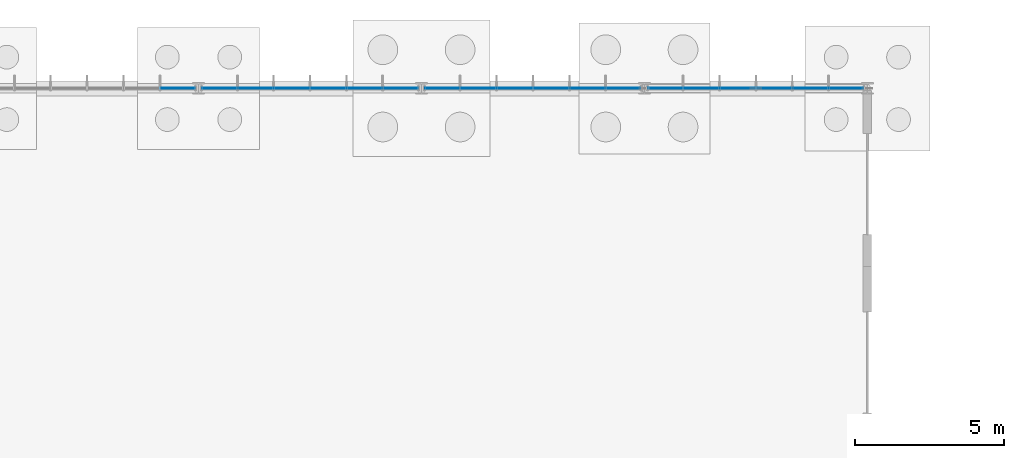
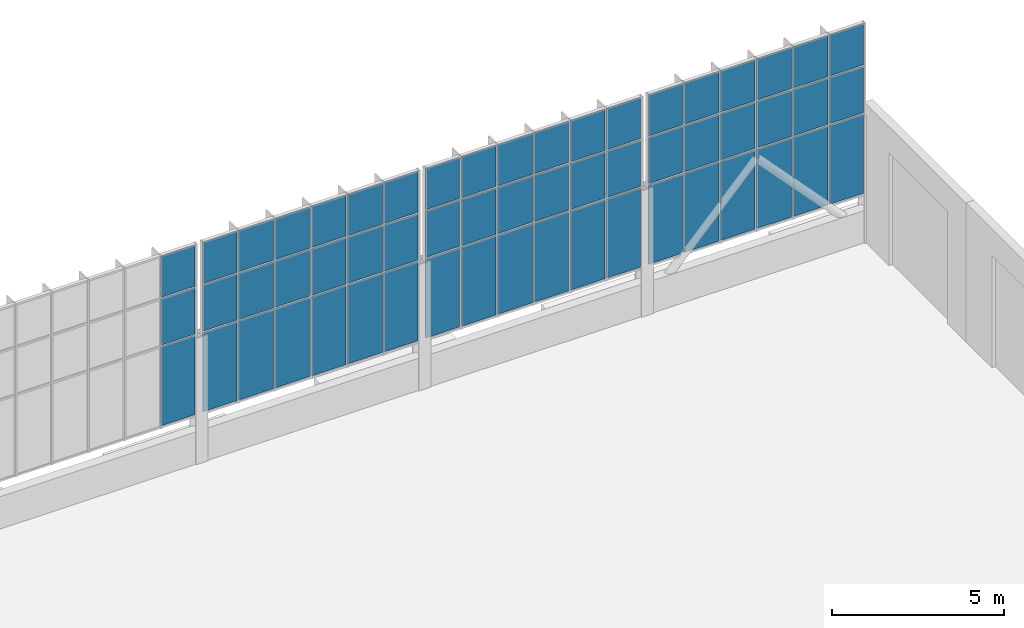
# One storey, part 98 of 136: 57 plates, 4 elements without a shape of their own.
"""IFC4 building model written with IfcOpenShell, lengths in metres."""

import ifcopenshell
import ifcopenshell.guid

model = None  # the IFC model being written
_history = None  # IfcOwnerHistory: only IFC2X3 demands one
_inside = {}  # id of a spatial element -> (the spatial element, [elements in it])
_under = {}  # id of a project, library or spatial element -> (it, [spatial elements below it])
_declared = {}  # id of a project -> (the project, [libraries it declares])
_typed = {}  # id of a type object -> (the type object, [elements of that type])
_made_of = {}  # id of a material, layer set ... -> (it, [elements and type objects made of it])


def new_model(schema):
    """Start an empty IFC model of exactly this schema.

    Asked for "IFC4X3", IfcOpenShell would pick the latest addendum, in which some entities
    have other attributes; the version numbers below select the first issue.
    IFC2X3 requires an IfcOwnerHistory on every rooted entity: one is made here for all.
    """
    global model, _history
    if schema == "IFC4X3":
        model = ifcopenshell.file(schema_version=(4, 3, 0, 0))
    else:
        model = ifcopenshell.file(schema=schema)
    _inside.clear()
    _under.clear()
    _declared.clear()
    _typed.clear()
    _made_of.clear()
    _history = None
    if model.schema == "IFC2X3":
        org = make("IfcOrganization", Name="unknown")
        user = make(
            "IfcPersonAndOrganization",
            ThePerson=make("IfcPerson", FamilyName="unknown"),
            TheOrganization=org,
        )
        app = make(
            "IfcApplication",
            ApplicationDeveloper=org,
            Version="unknown",
            ApplicationFullName="unknown",
            ApplicationIdentifier="unknown",
        )
        _history = make(
            "IfcOwnerHistory",
            OwningUser=user,
            OwningApplication=app,
            ChangeAction="ADDED",
            CreationDate=0,
        )
    return model


def make(cls, **values):
    """One entity of the class cls with the attributes given. An attribute that is None is left unset."""
    return model.create_entity(
        cls, **{name: value for name, value in values.items() if value is not None}
    )


def rooted(cls, **values):
    """An entity with a GlobalId (a new one), such as an element, a storey or a relation."""
    return make(cls, GlobalId=ifcopenshell.guid.new(), OwnerHistory=_history, **values)


def si_unit(unit_type, name, prefix=None):
    """IfcSIUnit, for example si_unit("LENGTHUNIT", "METRE", prefix="MILLI")."""
    return make("IfcSIUnit", UnitType=unit_type, Prefix=prefix, Name=name)


def assignment(units):
    """IfcUnitAssignment: the units of a project."""
    return None if units is None else make("IfcUnitAssignment", Units=units)


def point(xyz):
    """IfcCartesianPoint."""
    return None if xyz is None else make("IfcCartesianPoint", Coordinates=xyz)


def direction(xyz):
    """IfcDirection."""
    return None if xyz is None else make("IfcDirection", DirectionRatios=xyz)


def frame(location, z_axis=None, x_axis=None):
    """IfcAxis2Placement3D, a coordinate frame: its origin and axes. An axis left out is left unset."""
    return make(
        "IfcAxis2Placement3D",
        Location=point(location),
        Axis=direction(z_axis),
        RefDirection=direction(x_axis),
    )


def frame_2d(location, x_axis=None):
    """IfcAxis2Placement2D, a coordinate frame in the plane: its origin and x axis."""
    return make(
        "IfcAxis2Placement2D", Location=point(location), RefDirection=direction(x_axis)
    )


def origin():
    """The frame at (0, 0, 0) with its axes left unset."""
    return frame((0.0, 0.0, 0.0))


def origin_2d():
    """The frame at (0, 0) in the plane with its x axis left unset."""
    return frame_2d((0.0, 0.0))


def place(relative_to, where):
    """IfcLocalPlacement: puts the frame where relative to a parent placement (None: the world)."""
    return make(
        "IfcLocalPlacement", PlacementRelTo=relative_to, RelativePlacement=where
    )


def context(
    kind, dimensions, precision=None, world=None, true_north=None, identifier=None
):
    """IfcGeometricRepresentationContext, for example the 3D "Model" context."""
    return make(
        "IfcGeometricRepresentationContext",
        ContextIdentifier=identifier,
        ContextType=kind,
        CoordinateSpaceDimension=dimensions,
        Precision=precision,
        WorldCoordinateSystem=world,
        TrueNorth=true_north,
    )


def subcontext(parent, identifier, kind, view, scale=None):
    """IfcGeometricRepresentationSubContext, for example "Body" below "Model"."""
    return make(
        "IfcGeometricRepresentationSubContext",
        ContextIdentifier=identifier,
        ContextType=kind,
        ParentContext=parent,
        TargetScale=scale,
        TargetView=view,
    )


def project(units=None, contexts=None):
    """IfcProject with its units and contexts."""
    return rooted(
        "IfcProject",
        Name="project",
        RepresentationContexts=contexts,
        UnitsInContext=assignment(units),
    )


def spatial(cls, under=None, at=None, **own):
    """A site, building, storey or space (cls), placed at a placement, below another one or the project."""
    s = rooted(cls, ObjectPlacement=at, **own)
    if under is not None:
        _under.setdefault(under.id(), (under, []))[1].append(s)
    return s


def profile(cls, at=None, kind="AREA", **sizes):
    """A parametric profile (cls). Its sizes go by their IFC names, for example OverallWidth=200.0."""
    return make(cls, ProfileType=kind, Position=at, **sizes)


def rectangle(**sizes):
    """IfcRectangleProfileDef."""
    return profile("IfcRectangleProfileDef", **sizes)


def extrude(swept, where, along, depth):
    """IfcExtrudedAreaSolid: the profile swept, set in the frame where, extruded along a direction by depth."""
    return make(
        "IfcExtrudedAreaSolid",
        SweptArea=swept,
        Position=where,
        ExtrudedDirection=direction(along),
        Depth=depth,
    )


def shape(context_of_items, identifier, shape_type, items):
    """IfcShapeRepresentation: the items that make up one representation, for example the "Body"."""
    return make(
        "IfcShapeRepresentation",
        ContextOfItems=context_of_items,
        RepresentationIdentifier=identifier,
        RepresentationType=shape_type,
        Items=items,
    )


def material(Name=None, Category=None):
    """IfcMaterial."""
    return make("IfcMaterial", Name=Name, Category=Category)


def layer(
    of_material, thickness, ventilated=None, Name=None, Category=None, Priority=None
):
    """IfcMaterialLayer: one layer of a wall or slab, of a material (None: an air gap)."""
    return make(
        "IfcMaterialLayer",
        Material=of_material,
        LayerThickness=thickness,
        IsVentilated=ventilated,
        Name=Name,
        Category=Category,
        Priority=Priority,
    )


def layer_set(layers, Name=None):
    """IfcMaterialLayerSet."""
    return make("IfcMaterialLayerSet", MaterialLayers=layers, LayerSetName=Name)


def made_of(thing, what):
    """Note that an element or type object is made of a material, layer set ...; save() writes the relation."""
    if what is not None:
        _made_of.setdefault(what.id(), (what, []))[1].append(thing)
    return thing


def type_object(cls, material=None, **own):
    """A type object (cls), such as IfcWallType, which elements share."""
    return made_of(rooted(cls, **own), material)


def element(
    cls,
    number,
    at=None,
    inside=None,
    cuts=None,
    type_object=None,
    material=None,
    context=None,
    identifier="Body",
    shape_type=None,
    held_by="IfcProductDefinitionShape",
    body=None,
    shapes=None,
    **own,
):
    """One element of the class cls, such as IfcWall. Its Tag is "e" and its number.

    at: its placement. inside: the storey or other place that contains it. cuts: it is an
    opening in that element (IfcRelVoidsElement). A single representation is given by context,
    identifier, shape_type and body (its items); several are given by shapes. held_by: the class
    of the entity that holds the representations. save() writes the other relations.
    """
    e = rooted(cls, Tag="e%d" % number, ObjectPlacement=at, **own)
    if body is not None:
        shapes = [shape(context, identifier, shape_type, body)]
    if shapes is not None:
        e.Representation = make(held_by, Representations=shapes)
    if inside is not None:
        _inside.setdefault(inside.id(), (inside, []))[1].append(e)
    if cuts is not None:
        rooted(
            "IfcRelVoidsElement", RelatingBuildingElement=cuts, RelatedOpeningElement=e
        )
    if type_object is not None:
        _typed.setdefault(type_object.id(), (type_object, []))[1].append(e)
    return made_of(e, material)


def aggregate(whole, parts):
    """IfcRelAggregates: a whole, such as a stair, and the parts it consists of."""
    return rooted("IfcRelAggregates", RelatingObject=whole, RelatedObjects=parts)


def save(model, path):
    """Write the relations noted so far, then the file.

    IfcRelAggregates (storeys below a building ...), IfcRelContainedInSpatialStructure (elements
    in a storey), IfcRelDefinesByType, IfcRelAssociatesMaterial and IfcRelDeclares: one each for
    every whole, place, type object, material and project.
    """
    for whole, parts in _under.values():
        aggregate(whole, parts)
    for where, things in _inside.values():
        rooted(
            "IfcRelContainedInSpatialStructure",
            RelatedElements=things,
            RelatingStructure=where,
        )
    for kind, things in _typed.values():
        rooted("IfcRelDefinesByType", RelatedObjects=things, RelatingType=kind)
    for what, things in _made_of.values():
        rooted("IfcRelAssociatesMaterial", RelatedObjects=things, RelatingMaterial=what)
    for by, libraries in _declared.values():
        rooted("IfcRelDeclares", RelatingContext=by, RelatedDefinitions=libraries)
    model.write(path)


model = new_model("IFC4")

# Units and contexts
model_context = context("Model", 3, precision=1e-05, world=origin(), true_north=direction((0.0, 1.0)))
body_context = subcontext(model_context, "Body", "Model", "MODEL_VIEW")
ifc_project = project(units=[si_unit("LENGTHUNIT", "METRE"), si_unit("AREAUNIT", "SQUARE_METRE"), si_unit("VOLUMEUNIT", "CUBIC_METRE"), si_unit("PLANEANGLEUNIT", "RADIAN"), si_unit("MASSUNIT", "GRAM", prefix="KILO")], contexts=[model_context])

# Site, building, storey
site_placement = place(None, origin())
site = spatial("IfcSite", under=ifc_project, at=site_placement, CompositionType="ELEMENT")
building_placement = place(site_placement, origin())
building = spatial("IfcBuilding", under=site, at=building_placement, Name="Solvenia Promenade Tram Depot", CompositionType="ELEMENT")
storey_placement = place(building_placement, origin())
storey = spatial("IfcBuildingStorey", under=building, at=storey_placement, Name="L00", CompositionType="ELEMENT", Elevation=0.0)

# Curtain wall, plates
ifc_material_1 = material(Name="Anodized aluminium AW-6063 T6", Category="aluminium")
ifc_layer_1 = layer(ifc_material_1, 0.159912109375, Name="Anodized aluminium AW-6063 T6", Category="aluminium")
ifc_layer_set_1 = layer_set([ifc_layer_1], Name="Anodized aluminium AW-6063 T6")
curtain_wall_type = type_object("IfcCurtainWallType", Name="CW-Channel-1200", PredefinedType="NOTDEFINED", material=ifc_layer_set_1)
curtain_wall_1_placement = place(storey_placement, origin())
curtain_wall_1 = element("IfcCurtainWall", 1, at=curtain_wall_1_placement, inside=storey, type_object=curtain_wall_type, Name="North Translucent Channel-Glass Wall 17", PredefinedType="NOTDEFINED")
ifc_material_2 = material(Name="Low-iron translucent U-profile channel glass", Category="glass")
ifc_layer_2 = layer(ifc_material_2, 0.028076171875, Name="Low-iron translucent U-profile channel glass", Category="glass")
ifc_layer_set_2 = layer_set([ifc_layer_2], Name="Low-iron translucent U-profile channel glass")
plate_type = type_object("IfcPlateType", Name="CWP-Panel-1", PredefinedType="CURTAIN_PANEL", material=ifc_layer_set_2)
plate_1_placement = place(storey_placement, frame((126.79541015625, 126.0, 1.659912109375), z_axis=(0.0, 0.0, 1.0), x_axis=(1.0, 0.0, 0.0)))
plate_1 = element("IfcPlate", 2, at=plate_1_placement, type_object=plate_type, Name="CW-1 panel 6.1", PredefinedType="CURTAIN_PANEL", context=body_context, shape_type="SweptSolid", body=[
    extrude(rectangle(XDim=1.145263671875, YDim=0.028076171875, at=origin_2d()), origin(), (0.0, 0.0, 1.0), 2.81005859375),
])
plate_2_placement = place(storey_placement, frame((126.79541015625, 126.0, 4.5302734375), z_axis=(0.0, 0.0, 1.0), x_axis=(1.0, 0.0, 0.0)))
plate_2 = element("IfcPlate", 3, at=plate_2_placement, type_object=plate_type, Name="CW-1 panel 6.2", PredefinedType="CURTAIN_PANEL", context=body_context, shape_type="SweptSolid", body=[
    extrude(rectangle(XDim=1.145263671875, YDim=0.028076171875, at=origin_2d()), origin(), (0.0, 0.0, 1.0), 1.639892578125),
])
plate_3_placement = place(storey_placement, frame((126.79541015625, 126.0, 6.22998046875), z_axis=(0.0, 0.0, 1.0), x_axis=(1.0, 0.0, 0.0)))
plate_3 = element("IfcPlate", 4, at=plate_3_placement, type_object=plate_type, Name="CW-1 panel 6.3", PredefinedType="CURTAIN_PANEL", context=body_context, shape_type="SweptSolid", body=[
    extrude(rectangle(XDim=1.145263671875, YDim=0.028076171875, at=origin_2d()), origin(), (0.0, 0.0, 1.0), 1.4599609375),
])
aggregate(curtain_wall_1, [plate_1, plate_2, plate_3])

curtain_wall_2_placement = place(storey_placement, origin())
curtain_wall_2 = element("IfcCurtainWall", 5, at=curtain_wall_2_placement, inside=storey, type_object=curtain_wall_type, Name="North Translucent Channel-Glass Wall 18", PredefinedType="NOTDEFINED")
plate_4_placement = place(storey_placement, frame((128.20458984375, 126.0, 1.659912109375), z_axis=(0.0, 0.0, 1.0), x_axis=(1.0, 0.0, 0.0)))
plate_4 = element("IfcPlate", 6, at=plate_4_placement, type_object=plate_type, Name="CW-1 panel 1.1", PredefinedType="CURTAIN_PANEL", context=body_context, shape_type="SweptSolid", body=[
    extrude(rectangle(XDim=1.145263671875, YDim=0.028076171875, at=origin_2d()), origin(), (0.0, 0.0, 1.0), 2.81005859375),
])
plate_5_placement = place(storey_placement, frame((128.20458984375, 126.0, 4.5302734375), z_axis=(0.0, 0.0, 1.0), x_axis=(1.0, 0.0, 0.0)))
plate_5 = element("IfcPlate", 7, at=plate_5_placement, type_object=plate_type, Name="CW-1 panel 1.2", PredefinedType="CURTAIN_PANEL", context=body_context, shape_type="SweptSolid", body=[
    extrude(rectangle(XDim=1.145263671875, YDim=0.028076171875, at=origin_2d()), origin(), (0.0, 0.0, 1.0), 1.639892578125),
])
plate_6_placement = place(storey_placement, frame((128.20458984375, 126.0, 6.22998046875), z_axis=(0.0, 0.0, 1.0), x_axis=(1.0, 0.0, 0.0)))
plate_6 = element("IfcPlate", 8, at=plate_6_placement, type_object=plate_type, Name="CW-1 panel 1.3", PredefinedType="CURTAIN_PANEL", context=body_context, shape_type="SweptSolid", body=[
    extrude(rectangle(XDim=1.145263671875, YDim=0.028076171875, at=origin_2d()), origin(), (0.0, 0.0, 1.0), 1.4599609375),
])
plate_7_placement = place(storey_placement, frame((129.4150390625, 126.0, 1.659912109375), z_axis=(0.0, 0.0, 1.0), x_axis=(1.0, 0.0, 0.0)))
plate_7 = element("IfcPlate", 9, at=plate_7_placement, type_object=plate_type, Name="CW-1 panel 2.1", PredefinedType="CURTAIN_PANEL", context=body_context, shape_type="SweptSolid", body=[
    extrude(rectangle(XDim=1.17138671875, YDim=0.028076171875, at=origin_2d()), origin(), (0.0, 0.0, 1.0), 2.81005859375),
])
plate_8_placement = place(storey_placement, frame((129.4150390625, 126.0, 4.5302734375), z_axis=(0.0, 0.0, 1.0), x_axis=(1.0, 0.0, 0.0)))
plate_8 = element("IfcPlate", 10, at=plate_8_placement, type_object=plate_type, Name="CW-1 panel 2.2", PredefinedType="CURTAIN_PANEL", context=body_context, shape_type="SweptSolid", body=[
    extrude(rectangle(XDim=1.17138671875, YDim=0.028076171875, at=origin_2d()), origin(), (0.0, 0.0, 1.0), 1.639892578125),
])
plate_9_placement = place(storey_placement, frame((129.4150390625, 126.0, 6.22998046875), z_axis=(0.0, 0.0, 1.0), x_axis=(1.0, 0.0, 0.0)))
plate_9 = element("IfcPlate", 11, at=plate_9_placement, type_object=plate_type, Name="CW-1 panel 2.3", PredefinedType="CURTAIN_PANEL", context=body_context, shape_type="SweptSolid", body=[
    extrude(rectangle(XDim=1.17138671875, YDim=0.028076171875, at=origin_2d()), origin(), (0.0, 0.0, 1.0), 1.4599609375),
])
plate_10_placement = place(storey_placement, frame((130.638427734375, 126.0, 1.659912109375), z_axis=(0.0, 0.0, 1.0), x_axis=(1.0, 0.0, 0.0)))
plate_10 = element("IfcPlate", 12, at=plate_10_placement, type_object=plate_type, Name="CW-1 panel 3.1", PredefinedType="CURTAIN_PANEL", context=body_context, shape_type="SweptSolid", body=[
    extrude(rectangle(XDim=1.17138671875, YDim=0.028076171875, at=origin_2d()), origin(), (0.0, 0.0, 1.0), 2.81005859375),
])
plate_11_placement = place(storey_placement, frame((130.638427734375, 126.0, 4.5302734375), z_axis=(0.0, 0.0, 1.0), x_axis=(1.0, 0.0, 0.0)))
plate_11 = element("IfcPlate", 13, at=plate_11_placement, type_object=plate_type, Name="CW-1 panel 3.2", PredefinedType="CURTAIN_PANEL", context=body_context, shape_type="SweptSolid", body=[
    extrude(rectangle(XDim=1.17138671875, YDim=0.028076171875, at=origin_2d()), origin(), (0.0, 0.0, 1.0), 1.639892578125),
])
plate_12_placement = place(storey_placement, frame((130.638427734375, 126.0, 6.22998046875), z_axis=(0.0, 0.0, 1.0), x_axis=(1.0, 0.0, 0.0)))
plate_12 = element("IfcPlate", 14, at=plate_12_placement, type_object=plate_type, Name="CW-1 panel 3.3", PredefinedType="CURTAIN_PANEL", context=body_context, shape_type="SweptSolid", body=[
    extrude(rectangle(XDim=1.17138671875, YDim=0.028076171875, at=origin_2d()), origin(), (0.0, 0.0, 1.0), 1.4599609375),
])
plate_13_placement = place(storey_placement, frame((131.861572265625, 126.0, 1.659912109375), z_axis=(0.0, 0.0, 1.0), x_axis=(1.0, 0.0, 0.0)))
plate_13 = element("IfcPlate", 15, at=plate_13_placement, type_object=plate_type, Name="CW-1 panel 4.1", PredefinedType="CURTAIN_PANEL", context=body_context, shape_type="SweptSolid", body=[
    extrude(rectangle(XDim=1.17138671875, YDim=0.028076171875, at=origin_2d()), origin(), (0.0, 0.0, 1.0), 2.81005859375),
])
plate_14_placement = place(storey_placement, frame((131.861572265625, 126.0, 4.5302734375), z_axis=(0.0, 0.0, 1.0), x_axis=(1.0, 0.0, 0.0)))
plate_14 = element("IfcPlate", 16, at=plate_14_placement, type_object=plate_type, Name="CW-1 panel 4.2", PredefinedType="CURTAIN_PANEL", context=body_context, shape_type="SweptSolid", body=[
    extrude(rectangle(XDim=1.17138671875, YDim=0.028076171875, at=origin_2d()), origin(), (0.0, 0.0, 1.0), 1.639892578125),
])
plate_15_placement = place(storey_placement, frame((131.861572265625, 126.0, 6.22998046875), z_axis=(0.0, 0.0, 1.0), x_axis=(1.0, 0.0, 0.0)))
plate_15 = element("IfcPlate", 17, at=plate_15_placement, type_object=plate_type, Name="CW-1 panel 4.3", PredefinedType="CURTAIN_PANEL", context=body_context, shape_type="SweptSolid", body=[
    extrude(rectangle(XDim=1.17138671875, YDim=0.028076171875, at=origin_2d()), origin(), (0.0, 0.0, 1.0), 1.4599609375),
])
plate_16_placement = place(storey_placement, frame((133.0849609375, 126.0, 1.659912109375), z_axis=(0.0, 0.0, 1.0), x_axis=(1.0, 0.0, 0.0)))
plate_16 = element("IfcPlate", 18, at=plate_16_placement, type_object=plate_type, Name="CW-1 panel 5.1", PredefinedType="CURTAIN_PANEL", context=body_context, shape_type="SweptSolid", body=[
    extrude(rectangle(XDim=1.17138671875, YDim=0.028076171875, at=origin_2d()), origin(), (0.0, 0.0, 1.0), 2.81005859375),
])
plate_17_placement = place(storey_placement, frame((133.0849609375, 126.0, 4.5302734375), z_axis=(0.0, 0.0, 1.0), x_axis=(1.0, 0.0, 0.0)))
plate_17 = element("IfcPlate", 19, at=plate_17_placement, type_object=plate_type, Name="CW-1 panel 5.2", PredefinedType="CURTAIN_PANEL", context=body_context, shape_type="SweptSolid", body=[
    extrude(rectangle(XDim=1.17138671875, YDim=0.028076171875, at=origin_2d()), origin(), (0.0, 0.0, 1.0), 1.639892578125),
])
plate_18_placement = place(storey_placement, frame((133.0849609375, 126.0, 6.22998046875), z_axis=(0.0, 0.0, 1.0), x_axis=(1.0, 0.0, 0.0)))
plate_18 = element("IfcPlate", 20, at=plate_18_placement, type_object=plate_type, Name="CW-1 panel 5.3", PredefinedType="CURTAIN_PANEL", context=body_context, shape_type="SweptSolid", body=[
    extrude(rectangle(XDim=1.17138671875, YDim=0.028076171875, at=origin_2d()), origin(), (0.0, 0.0, 1.0), 1.4599609375),
])
plate_19_placement = place(storey_placement, frame((134.29541015625, 126.0, 1.659912109375), z_axis=(0.0, 0.0, 1.0), x_axis=(1.0, 0.0, 0.0)))
plate_19 = element("IfcPlate", 21, at=plate_19_placement, type_object=plate_type, Name="CW-1 panel 6.1", PredefinedType="CURTAIN_PANEL", context=body_context, shape_type="SweptSolid", body=[
    extrude(rectangle(XDim=1.145263671875, YDim=0.028076171875, at=origin_2d()), origin(), (0.0, 0.0, 1.0), 2.81005859375),
])
plate_20_placement = place(storey_placement, frame((134.29541015625, 126.0, 4.5302734375), z_axis=(0.0, 0.0, 1.0), x_axis=(1.0, 0.0, 0.0)))
plate_20 = element("IfcPlate", 22, at=plate_20_placement, type_object=plate_type, Name="CW-1 panel 6.2", PredefinedType="CURTAIN_PANEL", context=body_context, shape_type="SweptSolid", body=[
    extrude(rectangle(XDim=1.145263671875, YDim=0.028076171875, at=origin_2d()), origin(), (0.0, 0.0, 1.0), 1.639892578125),
])
plate_21_placement = place(storey_placement, frame((134.29541015625, 126.0, 6.22998046875), z_axis=(0.0, 0.0, 1.0), x_axis=(1.0, 0.0, 0.0)))
plate_21 = element("IfcPlate", 23, at=plate_21_placement, type_object=plate_type, Name="CW-1 panel 6.3", PredefinedType="CURTAIN_PANEL", context=body_context, shape_type="SweptSolid", body=[
    extrude(rectangle(XDim=1.145263671875, YDim=0.028076171875, at=origin_2d()), origin(), (0.0, 0.0, 1.0), 1.4599609375),
])
aggregate(curtain_wall_2, [plate_4, plate_5, plate_6, plate_7, plate_8, plate_9, plate_10, plate_11, plate_12, plate_13, plate_14, plate_15, plate_16, plate_17, plate_18, plate_19, plate_20, plate_21])

curtain_wall_3_placement = place(storey_placement, origin())
curtain_wall_3 = element("IfcCurtainWall", 24, at=curtain_wall_3_placement, inside=storey, type_object=curtain_wall_type, Name="North Translucent Channel-Glass Wall 19", PredefinedType="NOTDEFINED")
plate_22_placement = place(storey_placement, frame((135.70458984375, 126.0, 1.659912109375), z_axis=(0.0, 0.0, 1.0), x_axis=(1.0, 0.0, 0.0)))
plate_22 = element("IfcPlate", 25, at=plate_22_placement, type_object=plate_type, Name="CW-1 panel 1.1", PredefinedType="CURTAIN_PANEL", context=body_context, shape_type="SweptSolid", body=[
    extrude(rectangle(XDim=1.145263671875, YDim=0.028076171875, at=origin_2d()), origin(), (0.0, 0.0, 1.0), 2.81005859375),
])
plate_23_placement = place(storey_placement, frame((135.70458984375, 126.0, 4.5302734375), z_axis=(0.0, 0.0, 1.0), x_axis=(1.0, 0.0, 0.0)))
plate_23 = element("IfcPlate", 26, at=plate_23_placement, type_object=plate_type, Name="CW-1 panel 1.2", PredefinedType="CURTAIN_PANEL", context=body_context, shape_type="SweptSolid", body=[
    extrude(rectangle(XDim=1.145263671875, YDim=0.028076171875, at=origin_2d()), origin(), (0.0, 0.0, 1.0), 1.639892578125),
])
plate_24_placement = place(storey_placement, frame((135.70458984375, 126.0, 6.22998046875), z_axis=(0.0, 0.0, 1.0), x_axis=(1.0, 0.0, 0.0)))
plate_24 = element("IfcPlate", 27, at=plate_24_placement, type_object=plate_type, Name="CW-1 panel 1.3", PredefinedType="CURTAIN_PANEL", context=body_context, shape_type="SweptSolid", body=[
    extrude(rectangle(XDim=1.145263671875, YDim=0.028076171875, at=origin_2d()), origin(), (0.0, 0.0, 1.0), 1.4599609375),
])
plate_25_placement = place(storey_placement, frame((136.9150390625, 126.0, 1.659912109375), z_axis=(0.0, 0.0, 1.0), x_axis=(1.0, 0.0, 0.0)))
plate_25 = element("IfcPlate", 28, at=plate_25_placement, type_object=plate_type, Name="CW-1 panel 2.1", PredefinedType="CURTAIN_PANEL", context=body_context, shape_type="SweptSolid", body=[
    extrude(rectangle(XDim=1.17138671875, YDim=0.028076171875, at=origin_2d()), origin(), (0.0, 0.0, 1.0), 2.81005859375),
])
plate_26_placement = place(storey_placement, frame((136.9150390625, 126.0, 4.5302734375), z_axis=(0.0, 0.0, 1.0), x_axis=(1.0, 0.0, 0.0)))
plate_26 = element("IfcPlate", 29, at=plate_26_placement, type_object=plate_type, Name="CW-1 panel 2.2", PredefinedType="CURTAIN_PANEL", context=body_context, shape_type="SweptSolid", body=[
    extrude(rectangle(XDim=1.17138671875, YDim=0.028076171875, at=origin_2d()), origin(), (0.0, 0.0, 1.0), 1.639892578125),
])
plate_27_placement = place(storey_placement, frame((136.9150390625, 126.0, 6.22998046875), z_axis=(0.0, 0.0, 1.0), x_axis=(1.0, 0.0, 0.0)))
plate_27 = element("IfcPlate", 30, at=plate_27_placement, type_object=plate_type, Name="CW-1 panel 2.3", PredefinedType="CURTAIN_PANEL", context=body_context, shape_type="SweptSolid", body=[
    extrude(rectangle(XDim=1.17138671875, YDim=0.028076171875, at=origin_2d()), origin(), (0.0, 0.0, 1.0), 1.4599609375),
])
plate_28_placement = place(storey_placement, frame((138.138427734375, 126.0, 1.659912109375), z_axis=(0.0, 0.0, 1.0), x_axis=(1.0, 0.0, 0.0)))
plate_28 = element("IfcPlate", 31, at=plate_28_placement, type_object=plate_type, Name="CW-1 panel 3.1", PredefinedType="CURTAIN_PANEL", context=body_context, shape_type="SweptSolid", body=[
    extrude(rectangle(XDim=1.17138671875, YDim=0.028076171875, at=origin_2d()), origin(), (0.0, 0.0, 1.0), 2.81005859375),
])
plate_29_placement = place(storey_placement, frame((138.138427734375, 126.0, 4.5302734375), z_axis=(0.0, 0.0, 1.0), x_axis=(1.0, 0.0, 0.0)))
plate_29 = element("IfcPlate", 32, at=plate_29_placement, type_object=plate_type, Name="CW-1 panel 3.2", PredefinedType="CURTAIN_PANEL", context=body_context, shape_type="SweptSolid", body=[
    extrude(rectangle(XDim=1.17138671875, YDim=0.028076171875, at=origin_2d()), origin(), (0.0, 0.0, 1.0), 1.639892578125),
])
plate_30_placement = place(storey_placement, frame((138.138427734375, 126.0, 6.22998046875), z_axis=(0.0, 0.0, 1.0), x_axis=(1.0, 0.0, 0.0)))
plate_30 = element("IfcPlate", 33, at=plate_30_placement, type_object=plate_type, Name="CW-1 panel 3.3", PredefinedType="CURTAIN_PANEL", context=body_context, shape_type="SweptSolid", body=[
    extrude(rectangle(XDim=1.17138671875, YDim=0.028076171875, at=origin_2d()), origin(), (0.0, 0.0, 1.0), 1.4599609375),
])
plate_31_placement = place(storey_placement, frame((139.361572265625, 126.0, 1.659912109375), z_axis=(0.0, 0.0, 1.0), x_axis=(1.0, 0.0, 0.0)))
plate_31 = element("IfcPlate", 34, at=plate_31_placement, type_object=plate_type, Name="CW-1 panel 4.1", PredefinedType="CURTAIN_PANEL", context=body_context, shape_type="SweptSolid", body=[
    extrude(rectangle(XDim=1.17138671875, YDim=0.028076171875, at=origin_2d()), origin(), (0.0, 0.0, 1.0), 2.81005859375),
])
plate_32_placement = place(storey_placement, frame((139.361572265625, 126.0, 4.5302734375), z_axis=(0.0, 0.0, 1.0), x_axis=(1.0, 0.0, 0.0)))
plate_32 = element("IfcPlate", 35, at=plate_32_placement, type_object=plate_type, Name="CW-1 panel 4.2", PredefinedType="CURTAIN_PANEL", context=body_context, shape_type="SweptSolid", body=[
    extrude(rectangle(XDim=1.17138671875, YDim=0.028076171875, at=origin_2d()), origin(), (0.0, 0.0, 1.0), 1.639892578125),
])
plate_33_placement = place(storey_placement, frame((139.361572265625, 126.0, 6.22998046875), z_axis=(0.0, 0.0, 1.0), x_axis=(1.0, 0.0, 0.0)))
plate_33 = element("IfcPlate", 36, at=plate_33_placement, type_object=plate_type, Name="CW-1 panel 4.3", PredefinedType="CURTAIN_PANEL", context=body_context, shape_type="SweptSolid", body=[
    extrude(rectangle(XDim=1.17138671875, YDim=0.028076171875, at=origin_2d()), origin(), (0.0, 0.0, 1.0), 1.4599609375),
])
plate_34_placement = place(storey_placement, frame((140.5849609375, 126.0, 1.659912109375), z_axis=(0.0, 0.0, 1.0), x_axis=(1.0, 0.0, 0.0)))
plate_34 = element("IfcPlate", 37, at=plate_34_placement, type_object=plate_type, Name="CW-1 panel 5.1", PredefinedType="CURTAIN_PANEL", context=body_context, shape_type="SweptSolid", body=[
    extrude(rectangle(XDim=1.17138671875, YDim=0.028076171875, at=origin_2d()), origin(), (0.0, 0.0, 1.0), 2.81005859375),
])
plate_35_placement = place(storey_placement, frame((140.5849609375, 126.0, 4.5302734375), z_axis=(0.0, 0.0, 1.0), x_axis=(1.0, 0.0, 0.0)))
plate_35 = element("IfcPlate", 38, at=plate_35_placement, type_object=plate_type, Name="CW-1 panel 5.2", PredefinedType="CURTAIN_PANEL", context=body_context, shape_type="SweptSolid", body=[
    extrude(rectangle(XDim=1.17138671875, YDim=0.028076171875, at=origin_2d()), origin(), (0.0, 0.0, 1.0), 1.639892578125),
])
plate_36_placement = place(storey_placement, frame((140.5849609375, 126.0, 6.22998046875), z_axis=(0.0, 0.0, 1.0), x_axis=(1.0, 0.0, 0.0)))
plate_36 = element("IfcPlate", 39, at=plate_36_placement, type_object=plate_type, Name="CW-1 panel 5.3", PredefinedType="CURTAIN_PANEL", context=body_context, shape_type="SweptSolid", body=[
    extrude(rectangle(XDim=1.17138671875, YDim=0.028076171875, at=origin_2d()), origin(), (0.0, 0.0, 1.0), 1.4599609375),
])
plate_37_placement = place(storey_placement, frame((141.79541015625, 126.0, 1.659912109375), z_axis=(0.0, 0.0, 1.0), x_axis=(1.0, 0.0, 0.0)))
plate_37 = element("IfcPlate", 40, at=plate_37_placement, type_object=plate_type, Name="CW-1 panel 6.1", PredefinedType="CURTAIN_PANEL", context=body_context, shape_type="SweptSolid", body=[
    extrude(rectangle(XDim=1.145263671875, YDim=0.028076171875, at=origin_2d()), origin(), (0.0, 0.0, 1.0), 2.81005859375),
])
plate_38_placement = place(storey_placement, frame((141.79541015625, 126.0, 4.5302734375), z_axis=(0.0, 0.0, 1.0), x_axis=(1.0, 0.0, 0.0)))
plate_38 = element("IfcPlate", 41, at=plate_38_placement, type_object=plate_type, Name="CW-1 panel 6.2", PredefinedType="CURTAIN_PANEL", context=body_context, shape_type="SweptSolid", body=[
    extrude(rectangle(XDim=1.145263671875, YDim=0.028076171875, at=origin_2d()), origin(), (0.0, 0.0, 1.0), 1.639892578125),
])
plate_39_placement = place(storey_placement, frame((141.79541015625, 126.0, 6.22998046875), z_axis=(0.0, 0.0, 1.0), x_axis=(1.0, 0.0, 0.0)))
plate_39 = element("IfcPlate", 42, at=plate_39_placement, type_object=plate_type, Name="CW-1 panel 6.3", PredefinedType="CURTAIN_PANEL", context=body_context, shape_type="SweptSolid", body=[
    extrude(rectangle(XDim=1.145263671875, YDim=0.028076171875, at=origin_2d()), origin(), (0.0, 0.0, 1.0), 1.4599609375),
])
aggregate(curtain_wall_3, [plate_22, plate_23, plate_24, plate_25, plate_26, plate_27, plate_28, plate_29, plate_30, plate_31, plate_32, plate_33, plate_34, plate_35, plate_36, plate_37, plate_38, plate_39])

curtain_wall_4_placement = place(storey_placement, origin())
curtain_wall_4 = element("IfcCurtainWall", 43, at=curtain_wall_4_placement, inside=storey, type_object=curtain_wall_type, Name="North Translucent Channel-Glass Wall 20", PredefinedType="NOTDEFINED")
plate_40_placement = place(storey_placement, frame((143.20458984375, 126.0, 1.659912109375), z_axis=(0.0, 0.0, 1.0), x_axis=(1.0, 0.0, 0.0)))
plate_40 = element("IfcPlate", 44, at=plate_40_placement, type_object=plate_type, Name="CW-1 panel 1.1", PredefinedType="CURTAIN_PANEL", context=body_context, shape_type="SweptSolid", body=[
    extrude(rectangle(XDim=1.145263671875, YDim=0.028076171875, at=origin_2d()), origin(), (0.0, 0.0, 1.0), 2.81005859375),
])
plate_41_placement = place(storey_placement, frame((143.20458984375, 126.0, 4.5302734375), z_axis=(0.0, 0.0, 1.0), x_axis=(1.0, 0.0, 0.0)))
plate_41 = element("IfcPlate", 45, at=plate_41_placement, type_object=plate_type, Name="CW-1 panel 1.2", PredefinedType="CURTAIN_PANEL", context=body_context, shape_type="SweptSolid", body=[
    extrude(rectangle(XDim=1.145263671875, YDim=0.028076171875, at=origin_2d()), origin(), (0.0, 0.0, 1.0), 1.639892578125),
])
plate_42_placement = place(storey_placement, frame((143.20458984375, 126.0, 6.22998046875), z_axis=(0.0, 0.0, 1.0), x_axis=(1.0, 0.0, 0.0)))
plate_42 = element("IfcPlate", 46, at=plate_42_placement, type_object=plate_type, Name="CW-1 panel 1.3", PredefinedType="CURTAIN_PANEL", context=body_context, shape_type="SweptSolid", body=[
    extrude(rectangle(XDim=1.145263671875, YDim=0.028076171875, at=origin_2d()), origin(), (0.0, 0.0, 1.0), 1.4599609375),
])
plate_43_placement = place(storey_placement, frame((144.4150390625, 126.0, 1.659912109375), z_axis=(0.0, 0.0, 1.0), x_axis=(1.0, 0.0, 0.0)))
plate_43 = element("IfcPlate", 47, at=plate_43_placement, type_object=plate_type, Name="CW-1 panel 2.1", PredefinedType="CURTAIN_PANEL", context=body_context, shape_type="SweptSolid", body=[
    extrude(rectangle(XDim=1.17138671875, YDim=0.028076171875, at=origin_2d()), origin(), (0.0, 0.0, 1.0), 2.81005859375),
])
plate_44_placement = place(storey_placement, frame((144.4150390625, 126.0, 4.5302734375), z_axis=(0.0, 0.0, 1.0), x_axis=(1.0, 0.0, 0.0)))
plate_44 = element("IfcPlate", 48, at=plate_44_placement, type_object=plate_type, Name="CW-1 panel 2.2", PredefinedType="CURTAIN_PANEL", context=body_context, shape_type="SweptSolid", body=[
    extrude(rectangle(XDim=1.17138671875, YDim=0.028076171875, at=origin_2d()), origin(), (0.0, 0.0, 1.0), 1.639892578125),
])
plate_45_placement = place(storey_placement, frame((144.4150390625, 126.0, 6.22998046875), z_axis=(0.0, 0.0, 1.0), x_axis=(1.0, 0.0, 0.0)))
plate_45 = element("IfcPlate", 49, at=plate_45_placement, type_object=plate_type, Name="CW-1 panel 2.3", PredefinedType="CURTAIN_PANEL", context=body_context, shape_type="SweptSolid", body=[
    extrude(rectangle(XDim=1.17138671875, YDim=0.028076171875, at=origin_2d()), origin(), (0.0, 0.0, 1.0), 1.4599609375),
])
plate_46_placement = place(storey_placement, frame((145.638427734375, 126.0, 1.659912109375), z_axis=(0.0, 0.0, 1.0), x_axis=(1.0, 0.0, 0.0)))
plate_46 = element("IfcPlate", 50, at=plate_46_placement, type_object=plate_type, Name="CW-1 panel 3.1", PredefinedType="CURTAIN_PANEL", context=body_context, shape_type="SweptSolid", body=[
    extrude(rectangle(XDim=1.17138671875, YDim=0.028076171875, at=origin_2d()), origin(), (0.0, 0.0, 1.0), 2.81005859375),
])
plate_47_placement = place(storey_placement, frame((145.638427734375, 126.0, 4.5302734375), z_axis=(0.0, 0.0, 1.0), x_axis=(1.0, 0.0, 0.0)))
plate_47 = element("IfcPlate", 51, at=plate_47_placement, type_object=plate_type, Name="CW-1 panel 3.2", PredefinedType="CURTAIN_PANEL", context=body_context, shape_type="SweptSolid", body=[
    extrude(rectangle(XDim=1.17138671875, YDim=0.028076171875, at=origin_2d()), origin(), (0.0, 0.0, 1.0), 1.639892578125),
])
plate_48_placement = place(storey_placement, frame((145.638427734375, 126.0, 6.22998046875), z_axis=(0.0, 0.0, 1.0), x_axis=(1.0, 0.0, 0.0)))
plate_48 = element("IfcPlate", 52, at=plate_48_placement, type_object=plate_type, Name="CW-1 panel 3.3", PredefinedType="CURTAIN_PANEL", context=body_context, shape_type="SweptSolid", body=[
    extrude(rectangle(XDim=1.17138671875, YDim=0.028076171875, at=origin_2d()), origin(), (0.0, 0.0, 1.0), 1.4599609375),
])
plate_49_placement = place(storey_placement, frame((146.861572265625, 126.0, 1.659912109375), z_axis=(0.0, 0.0, 1.0), x_axis=(1.0, 0.0, 0.0)))
plate_49 = element("IfcPlate", 53, at=plate_49_placement, type_object=plate_type, Name="CW-1 panel 4.1", PredefinedType="CURTAIN_PANEL", context=body_context, shape_type="SweptSolid", body=[
    extrude(rectangle(XDim=1.17138671875, YDim=0.028076171875, at=origin_2d()), origin(), (0.0, 0.0, 1.0), 2.81005859375),
])
plate_50_placement = place(storey_placement, frame((146.861572265625, 126.0, 4.5302734375), z_axis=(0.0, 0.0, 1.0), x_axis=(1.0, 0.0, 0.0)))
plate_50 = element("IfcPlate", 54, at=plate_50_placement, type_object=plate_type, Name="CW-1 panel 4.2", PredefinedType="CURTAIN_PANEL", context=body_context, shape_type="SweptSolid", body=[
    extrude(rectangle(XDim=1.17138671875, YDim=0.028076171875, at=origin_2d()), origin(), (0.0, 0.0, 1.0), 1.639892578125),
])
plate_51_placement = place(storey_placement, frame((146.861572265625, 126.0, 6.22998046875), z_axis=(0.0, 0.0, 1.0), x_axis=(1.0, 0.0, 0.0)))
plate_51 = element("IfcPlate", 55, at=plate_51_placement, type_object=plate_type, Name="CW-1 panel 4.3", PredefinedType="CURTAIN_PANEL", context=body_context, shape_type="SweptSolid", body=[
    extrude(rectangle(XDim=1.17138671875, YDim=0.028076171875, at=origin_2d()), origin(), (0.0, 0.0, 1.0), 1.4599609375),
])
plate_52_placement = place(storey_placement, frame((148.0849609375, 126.0, 1.659912109375), z_axis=(0.0, 0.0, 1.0), x_axis=(1.0, 0.0, 0.0)))
plate_52 = element("IfcPlate", 56, at=plate_52_placement, type_object=plate_type, Name="CW-1 panel 5.1", PredefinedType="CURTAIN_PANEL", context=body_context, shape_type="SweptSolid", body=[
    extrude(rectangle(XDim=1.17138671875, YDim=0.028076171875, at=origin_2d()), origin(), (0.0, 0.0, 1.0), 2.81005859375),
])
plate_53_placement = place(storey_placement, frame((148.0849609375, 126.0, 4.5302734375), z_axis=(0.0, 0.0, 1.0), x_axis=(1.0, 0.0, 0.0)))
plate_53 = element("IfcPlate", 57, at=plate_53_placement, type_object=plate_type, Name="CW-1 panel 5.2", PredefinedType="CURTAIN_PANEL", context=body_context, shape_type="SweptSolid", body=[
    extrude(rectangle(XDim=1.17138671875, YDim=0.028076171875, at=origin_2d()), origin(), (0.0, 0.0, 1.0), 1.639892578125),
])
plate_54_placement = place(storey_placement, frame((148.0849609375, 126.0, 6.22998046875), z_axis=(0.0, 0.0, 1.0), x_axis=(1.0, 0.0, 0.0)))
plate_54 = element("IfcPlate", 58, at=plate_54_placement, type_object=plate_type, Name="CW-1 panel 5.3", PredefinedType="CURTAIN_PANEL", context=body_context, shape_type="SweptSolid", body=[
    extrude(rectangle(XDim=1.17138671875, YDim=0.028076171875, at=origin_2d()), origin(), (0.0, 0.0, 1.0), 1.4599609375),
])
plate_55_placement = place(storey_placement, frame((149.29541015625, 126.0, 1.659912109375), z_axis=(0.0, 0.0, 1.0), x_axis=(1.0, 0.0, 0.0)))
plate_55 = element("IfcPlate", 59, at=plate_55_placement, type_object=plate_type, Name="CW-1 panel 6.1", PredefinedType="CURTAIN_PANEL", context=body_context, shape_type="SweptSolid", body=[
    extrude(rectangle(XDim=1.145263671875, YDim=0.028076171875, at=origin_2d()), origin(), (0.0, 0.0, 1.0), 2.81005859375),
])
plate_56_placement = place(storey_placement, frame((149.29541015625, 126.0, 4.5302734375), z_axis=(0.0, 0.0, 1.0), x_axis=(1.0, 0.0, 0.0)))
plate_56 = element("IfcPlate", 60, at=plate_56_placement, type_object=plate_type, Name="CW-1 panel 6.2", PredefinedType="CURTAIN_PANEL", context=body_context, shape_type="SweptSolid", body=[
    extrude(rectangle(XDim=1.145263671875, YDim=0.028076171875, at=origin_2d()), origin(), (0.0, 0.0, 1.0), 1.639892578125),
])
plate_57_placement = place(storey_placement, frame((149.29541015625, 126.0, 6.22998046875), z_axis=(0.0, 0.0, 1.0), x_axis=(1.0, 0.0, 0.0)))
plate_57 = element("IfcPlate", 61, at=plate_57_placement, type_object=plate_type, Name="CW-1 panel 6.3", PredefinedType="CURTAIN_PANEL", context=body_context, shape_type="SweptSolid", body=[
    extrude(rectangle(XDim=1.145263671875, YDim=0.028076171875, at=origin_2d()), origin(), (0.0, 0.0, 1.0), 1.4599609375),
])
aggregate(curtain_wall_4, [plate_40, plate_41, plate_42, plate_43, plate_44, plate_45, plate_46, plate_47, plate_48, plate_49, plate_50, plate_51, plate_52, plate_53, plate_54, plate_55, plate_56, plate_57])

save(model, "model.ifc")
